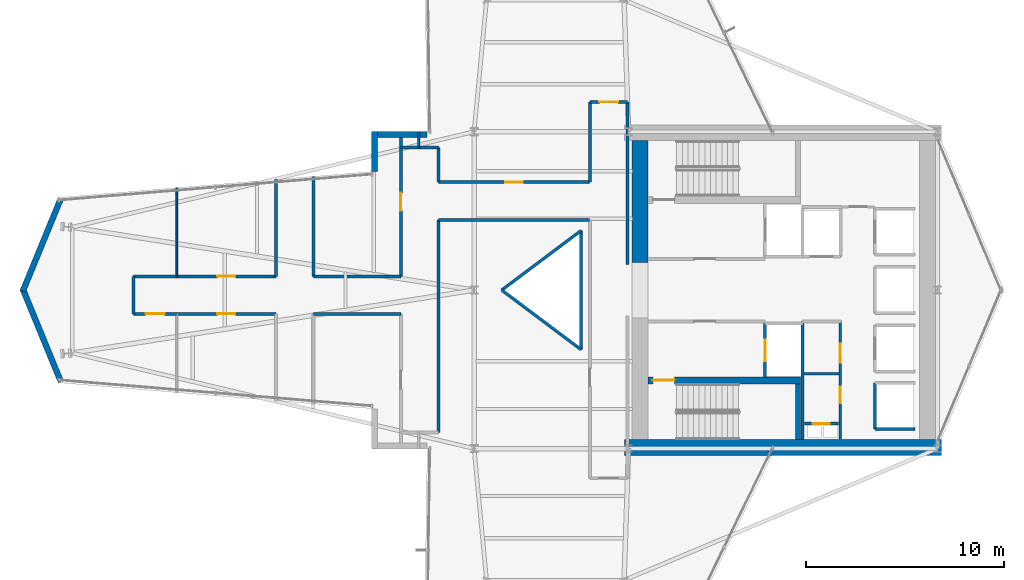
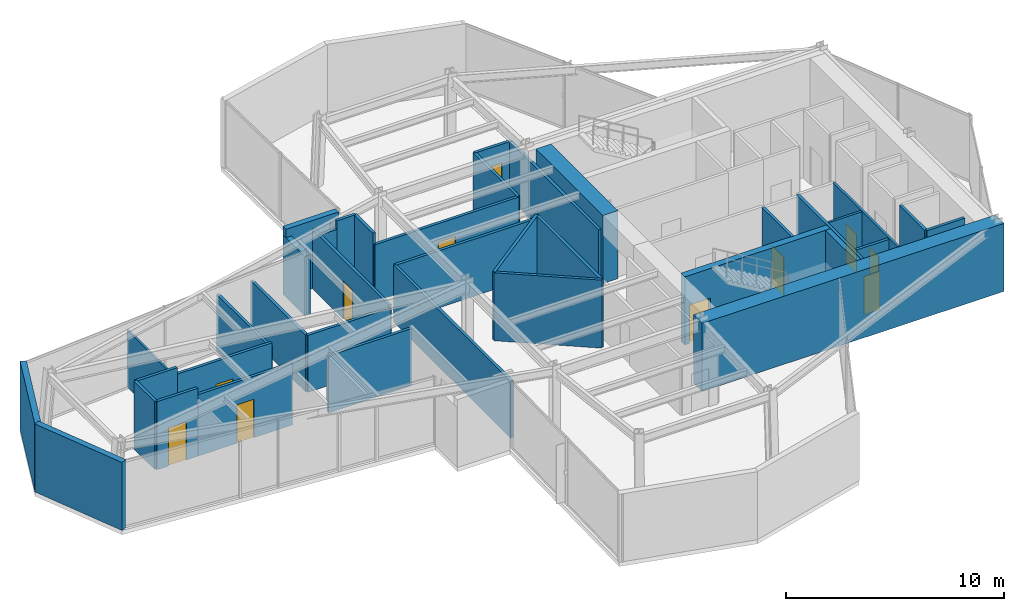
# One storey, part 22 of 24: 39 walls, 11 doors, 11 openings.
"""IFC4 building model written with IfcOpenShell, lengths in metres."""

from ifc_helpers import new_model, si_unit, direction, frame, frame_2d, origin, place, context, subcontext, project, spatial, rectangle, extrude, material, layer, layer_set, type_object, element, fill, save


model = new_model("IFC4")

# Units and contexts
model_context = context("Model", 3, precision=1e-05, world=origin(), true_north=direction((0.0, 1.0)))
body_context = subcontext(model_context, "Body", "Model", "MODEL_VIEW")
ifc_project = project(units=[si_unit("LENGTHUNIT", "METRE"), si_unit("AREAUNIT", "SQUARE_METRE"), si_unit("VOLUMEUNIT", "CUBIC_METRE"), si_unit("PLANEANGLEUNIT", "RADIAN"), si_unit("MASSUNIT", "GRAM", prefix="KILO")], contexts=[model_context])

# Site, building, storey
site_placement = place(None, origin())
site = spatial("IfcSite", under=ifc_project, at=site_placement, CompositionType="ELEMENT")
building_placement = place(site_placement, origin())
building = spatial("IfcBuilding", under=site, at=building_placement, Name="Veymaron Broadcast Tower", CompositionType="ELEMENT")
storey_placement = place(building_placement, frame((0.0, 0.0, 124.949951171875)))
storey = spatial("IfcBuildingStorey", under=building, at=storey_placement, Name="L28", CompositionType="ELEMENT", Elevation=124.949951171875)

# Walls
ifc_material_1 = material(Name="Precast concrete C40/50 with mineral-wool insulation", Category="concrete")
ifc_layer_1 = layer(ifc_material_1, 0.300048828125)
ifc_layer_set_1 = layer_set([ifc_layer_1], Name="Precast concrete C40/50 with mineral-wool insulation")
wall_type_1 = type_object("IfcWallType", Name="WALL-EXT-300", PredefinedType="STANDARD", material=ifc_layer_set_1)
wall_1_placement = place(storey_placement, frame((28.828369140625, 31.860107421875, 0.0), z_axis=(0.0, 0.0, 1.0), x_axis=(-1.0, 0.0, 0.0)))
element("IfcWall", 1, at=wall_1_placement, inside=storey, type_object=wall_type_1, Name="L28 notched corner facade pier 9-1", PredefinedType="STANDARD", context=body_context, shape_type="SweptSolid", body=[
    extrude(rectangle(XDim=2.788330078125, YDim=0.300048828125, at=frame_2d((1.39404296875, 0.0))), origin(), (0.0, 0.0, 1.0), 3.81005859375),
])
wall_2_placement = place(storey_placement, frame((26.179931640625, 32.0, 0.0), z_axis=(0.0, 0.0, 1.0), x_axis=(0.0, -1.0, 0.0)))
element("IfcWall", 2, at=wall_2_placement, inside=storey, type_object=wall_type_1, Name="L28 notched corner facade pier 10-1", PredefinedType="STANDARD", context=body_context, shape_type="SweptSolid", body=[
    extrude(rectangle(XDim=2.009521484375, YDim=0.300048828125, at=frame_2d((1.0048828125, 0.0))), origin(), (0.0, 0.0, 1.0), 3.338134765625),
])
for number, where, z_axis, x_axis, name in (
    (3, (10.32958984375, 28.62548828125, 0.0), (0.0, 0.0, 1.0), (-0.379673954521, -0.925120364201, 0.0), "L28 notched corner facade pier 12-1"),
    (4, (8.409423828125, 24.05322265625, 0.0), (0.0, 0.0, 1.0), (0.379673954521, -0.925120364201, 0.0), "L28 notched corner facade pier 13-1"),
):
    element("IfcWall", number, at=place(storey_placement, frame(where, z_axis=z_axis, x_axis=x_axis)), inside=storey, type_object=wall_type_1, Name=name, PredefinedType="STANDARD", context=body_context, shape_type="SweptSolid", body=[
        extrude(rectangle(XDim=5.057373046875, YDim=0.300048828125, at=frame_2d((2.52880859375, 0.0))), origin(), (0.0, 0.0, 1.0), 3.81005859375),
    ])

# Wall, opening, door
ifc_material_2 = material(Name="Gypsum fireboard and steel stud framing", Category="steel")
ifc_layer_2 = layer(ifc_material_2, 0.14990234375)
ifc_layer_set_2 = layer_set([ifc_layer_2], Name="Gypsum fireboard and steel stud framing")
wall_type_2 = type_object("IfcWallType", Name="WALL-FIRE-150", PredefinedType="PARTITIONING", material=ifc_layer_set_2)
wall_3_placement = place(storey_placement, frame((45.89501953125, 19.590087890625, 0.0), z_axis=(0.0, 0.0, 1.0), x_axis=(0.0, 1.0, 0.0)))
wall_3 = element("IfcWall", 5, at=wall_3_placement, inside=storey, type_object=wall_type_2, Name="L28 partition IW-L28-SHW-FFL-2", PredefinedType="PARTITIONING", context=body_context, shape_type="SweptSolid", body=[
    extrude(rectangle(XDim=2.719970703125, YDim=0.14990234375, at=frame_2d((1.35986328125, 0.0))), origin(), (0.0, 0.0, 1.0), 3.81005859375),
])
opening_1_placement = place(wall_3_placement, frame((0.81005859375, 0.0, 0.0)))
opening_1 = element("IfcOpeningElement", 6, at=opening_1_placement, cuts=wall_3, Name="Opening LD", PredefinedType="OPENING", context=body_context, shape_type="SweptSolid", body=[
    extrude(rectangle(XDim=1.10009765625, YDim=2.14990234375, at=frame_2d((0.550048828125, 1.074951171875))), frame((0.0, 0.0849609375, 0.0), z_axis=(0.0, -1.0, 0.0), x_axis=(1.0, 0.0, 0.0)), (0.0, 0.0, 1.0), 0.169921875),
])
ifc_material_3 = material(Name="Brushed stainless steel AISI 304", Category="steel")
door_type_1 = type_object("IfcDoorType", Name="DOOR-LIFT-1100", OperationType="DOUBLE_DOOR_SLIDING", PredefinedType="DOOR", material=ifc_material_3)
door_1_placement = place(opening_1_placement, frame((1.10009765625, 0.0, 0.0), z_axis=(0.0, 0.0, 1.0), x_axis=(-1.0, 0.0, 0.0)))
door_1 = element("IfcDoor", 7, at=door_1_placement, inside=storey, type_object=door_type_1, Name="L28 door LD-L28-FFL-2", OperationType="DOUBLE_DOOR_SLIDING", OverallHeight=2.14990234375, OverallWidth=1.10009765625, PredefinedType="DOOR", context=body_context, shape_type="SweptSolid", body=[
    extrude(rectangle(XDim=1.10009765625, YDim=2.14990234375, at=frame_2d((0.550048828125, 1.074951171875))), frame((0.0, 0.02490234375, 0.0), z_axis=(0.0, -1.0, 0.0), x_axis=(1.0, 0.0, 0.0)), (0.0, 0.0, 1.0), 0.050048828125),
])
fill(opening_1, door_1)

# Walls
wall_4_placement = place(storey_placement, frame((51.445068359375, 16.989990234375, 0.0), z_axis=(0.0, 0.0, 1.0), x_axis=(0.0, 1.0, 0.0)))
element("IfcWall", 8, at=wall_4_placement, inside=storey, type_object=wall_type_2, Name="L28 partition IW-L28-SHW-PH1", PredefinedType="PARTITIONING", context=body_context, shape_type="SweptSolid", body=[
    extrude(rectangle(XDim=2.320068359375, YDim=0.14990234375, at=frame_2d((1.16015625, 0.0))), origin(), (0.0, 0.0, 1.0), 3.81005859375),
])
wall_5_placement = place(storey_placement, frame((51.445068359375, 16.989990234375, 0.0), z_axis=(0.0, 0.0, 1.0), x_axis=(1.0, 0.0, 0.0)))
element("IfcWall", 9, at=wall_5_placement, inside=storey, type_object=wall_type_2, Name="L28 partition IW-L28-SHS-PH1", PredefinedType="PARTITIONING", context=body_context, shape_type="SweptSolid", body=[
    extrude(rectangle(XDim=2.014892578125, YDim=0.14990234375, at=frame_2d((1.00732421875, 0.0))), origin(), (0.0, 0.0, 1.0), 3.81005859375),
])

# Wall, opening, door
wall_6_placement = place(storey_placement, frame((47.8798828125, 17.260009765625, 0.0), z_axis=(0.0, 0.0, 1.0), x_axis=(1.0, 0.0, 0.0)))
wall_6 = element("IfcWall", 10, at=wall_6_placement, inside=storey, type_object=wall_type_2, Name="L28 partition IW-L28-RIS-N", PredefinedType="PARTITIONING", context=body_context, shape_type="SweptSolid", body=[
    extrude(rectangle(XDim=1.72021484375, YDim=0.14990234375, at=frame_2d((0.860107421875, 0.0))), origin(), (0.0, 0.0, 1.0), 3.81005859375),
])
opening_2_placement = place(wall_6_placement, frame((0.419921875, 0.0, 0.0)))
opening_2 = element("IfcOpeningElement", 11, at=opening_2_placement, cuts=wall_6, Name="Opening ID-RS1", PredefinedType="OPENING", context=body_context, shape_type="SweptSolid", body=[
    extrude(rectangle(XDim=0.85009765625, YDim=2.14990234375, at=frame_2d((0.425048828125, 1.074951171875))), frame((0.0, 0.0849609375, 0.0), z_axis=(0.0, -1.0, 0.0), x_axis=(1.0, 0.0, 0.0)), (0.0, 0.0, 1.0), 0.169921875),
])
ifc_material_4 = material(Name="Fire-rated powder-coated steel riser leaf", Category="steel")
door_type_2 = type_object("IfcDoorType", Name="DOOR-RIS-850", OperationType="NOTDEFINED", PredefinedType="TRAPDOOR", material=ifc_material_4)
door_2_placement = place(opening_2_placement, origin())
door_2 = element("IfcDoor", 12, at=door_2_placement, inside=storey, type_object=door_type_2, Name="L28 door DR-L28-RIS", OperationType="SINGLE_SWING_LEFT", OverallHeight=2.14990234375, OverallWidth=0.85009765625, PredefinedType="TRAPDOOR", context=body_context, shape_type="SweptSolid", body=[
    extrude(rectangle(XDim=0.85009765625, YDim=2.14990234375, at=frame_2d((0.425048828125, 1.074951171875))), frame((0.0, 0.02490234375, 0.0), z_axis=(0.0, -1.0, 0.0), x_axis=(1.0, 0.0, 0.0)), (0.0, 0.0, 1.0), 0.050048828125),
])
fill(opening_2, door_2)

# Wall
wall_7_placement = place(storey_placement, frame((47.780029296875, 16.449951171875, 0.0), z_axis=(0.0, 0.0, 1.0), x_axis=(0.0, 1.0, 0.0)))
element("IfcWall", 13, at=wall_7_placement, inside=storey, type_object=wall_type_2, Name="L28 partition IW-L28-SM-W", PredefinedType="PARTITIONING", context=body_context, shape_type="SweptSolid", body=[
    extrude(rectangle(XDim=5.97509765625, YDim=0.14990234375, at=frame_2d((2.987548828125, 0.0))), origin(), (0.0, 0.0, 1.0), 3.81005859375),
])

# Wall, opening, door
wall_8_placement = place(storey_placement, frame((16.18603515625, 22.800048828125, 0.0), z_axis=(0.0, 0.0, 1.0), x_axis=(1.0, 0.0, 0.0)))
wall_8 = element("IfcWall", 14, at=wall_8_placement, inside=storey, type_object=wall_type_2, Name="L28 partition IW-L28-P12", PredefinedType="PARTITIONING", context=body_context, shape_type="SweptSolid", body=[
    extrude(rectangle(XDim=5.013916015625, YDim=0.14990234375, at=frame_2d((2.5068359375, 0.0))), origin(), (0.0, 0.0, 1.0), 3.443115234375),
])
opening_3_placement = place(wall_8_placement, frame((2.056884765625, 0.0, 0.0)))
opening_3 = element("IfcOpeningElement", 15, at=opening_3_placement, cuts=wall_8, Name="Opening ID-RM2", PredefinedType="OPENING", context=body_context, shape_type="SweptSolid", body=[
    extrude(rectangle(XDim=0.89990234375, YDim=2.14990234375, at=frame_2d((0.449951171875, 1.074951171875))), frame((0.0, 0.0849609375, 0.0), z_axis=(0.0, -1.0, 0.0), x_axis=(1.0, 0.0, 0.0)), (0.0, 0.0, 1.0), 0.169921875),
])
ifc_material_5 = material(Name="Acoustic solid-core European oak veneer timber", Category="wood")
door_type_3 = type_object("IfcDoorType", Name="DOOR-INT-900", OperationType="NOTDEFINED", PredefinedType="DOOR", material=ifc_material_5)
door_3_placement = place(opening_3_placement, frame((0.89990234375, 0.0, 0.0), z_axis=(0.0, 0.0, 1.0), x_axis=(-1.0, 0.0, 0.0)))
door_3 = element("IfcDoor", 16, at=door_3_placement, inside=storey, type_object=door_type_3, Name="L28 door DR-L28-P12", OperationType="SINGLE_SWING_LEFT", OverallHeight=2.14990234375, OverallWidth=0.89990234375, PredefinedType="DOOR", context=body_context, shape_type="SweptSolid", body=[
    extrude(rectangle(XDim=0.89990234375, YDim=2.14990234375, at=frame_2d((0.449951171875, 1.074951171875))), frame((0.0, 0.02490234375, 0.0), z_axis=(0.0, -1.0, 0.0), x_axis=(1.0, 0.0, 0.0)), (0.0, 0.0, 1.0), 0.050048828125),
])
fill(opening_3, door_3)

wall_9_placement = place(storey_placement, frame((14.0, 22.800048828125, 0.0), z_axis=(0.0, 0.0, 1.0), x_axis=(1.0, 0.0, 0.0)))
wall_9 = element("IfcWall", 17, at=wall_9_placement, inside=storey, type_object=wall_type_2, Name="L28 partition IW-L28-P14", PredefinedType="PARTITIONING", context=body_context, shape_type="SweptSolid", body=[
    extrude(rectangle(XDim=2.18603515625, YDim=0.14990234375, at=frame_2d((1.093017578125, 0.0))), origin(), (0.0, 0.0, 1.0), 3.81005859375),
])
opening_4_placement = place(wall_9_placement, frame((0.617919921875, 0.0, 0.0)))
opening_4 = element("IfcOpeningElement", 18, at=opening_4_placement, cuts=wall_9, Name="Opening ID-RM1", PredefinedType="OPENING", context=body_context, shape_type="SweptSolid", body=[
    extrude(rectangle(XDim=0.949951171875, YDim=2.14990234375, at=frame_2d((0.47509765625, 1.074951171875))), frame((0.0, 0.0849609375, 0.0), z_axis=(0.0, -1.0, 0.0), x_axis=(1.0, 0.0, 0.0)), (0.0, 0.0, 1.0), 0.169921875),
])
door_type_4 = type_object("IfcDoorType", Name="DOOR-INT-950", OperationType="NOTDEFINED", PredefinedType="DOOR", material=ifc_material_5)
door_4_placement = place(opening_4_placement, frame((0.949951171875, 0.0, 0.0), z_axis=(0.0, 0.0, 1.0), x_axis=(-1.0, 0.0, 0.0)))
door_4 = element("IfcDoor", 19, at=door_4_placement, inside=storey, type_object=door_type_4, Name="L28 door DR-L28-P14", OperationType="SINGLE_SWING_LEFT", OverallHeight=2.14990234375, OverallWidth=0.949951171875, PredefinedType="DOOR", context=body_context, shape_type="SweptSolid", body=[
    extrude(rectangle(XDim=0.949951171875, YDim=2.14990234375, at=frame_2d((0.47509765625, 1.074951171875))), frame((0.0, 0.02490234375, 0.0), z_axis=(0.0, -1.0, 0.0), x_axis=(1.0, 0.0, 0.0)), (0.0, 0.0, 1.0), 0.050048828125),
])
fill(opening_4, door_4)

wall_10_placement = place(storey_placement, frame((16.18603515625, 24.699951171875, 0.0), z_axis=(0.0, 0.0, 1.0), x_axis=(1.0, 0.0, 0.0)))
wall_10 = element("IfcWall", 20, at=wall_10_placement, inside=storey, type_object=wall_type_2, Name="L28 partition IW-L28-P17", PredefinedType="PARTITIONING", context=body_context, shape_type="SweptSolid", body=[
    extrude(rectangle(XDim=5.013916015625, YDim=0.14990234375, at=frame_2d((2.5068359375, 0.0))), origin(), (0.0, 0.0, 1.0), 3.443115234375),
])
opening_5_placement = place(wall_10_placement, frame((2.056884765625, 0.0, 0.0)))
opening_5 = element("IfcOpeningElement", 21, at=opening_5_placement, cuts=wall_10, Name="Opening ID-RM2", PredefinedType="OPENING", context=body_context, shape_type="SweptSolid", body=[
    extrude(rectangle(XDim=0.89990234375, YDim=2.14990234375, at=frame_2d((0.449951171875, 1.074951171875))), frame((0.0, 0.0849609375, 0.0), z_axis=(0.0, -1.0, 0.0), x_axis=(1.0, 0.0, 0.0)), (0.0, 0.0, 1.0), 0.169921875),
])
door_5_placement = place(opening_5_placement, origin())
door_5 = element("IfcDoor", 22, at=door_5_placement, inside=storey, type_object=door_type_3, Name="L28 door DR-L28-P17", OperationType="SINGLE_SWING_RIGHT", OverallHeight=2.14990234375, OverallWidth=0.89990234375, PredefinedType="DOOR", context=body_context, shape_type="SweptSolid", body=[
    extrude(rectangle(XDim=0.89990234375, YDim=2.14990234375, at=frame_2d((0.449951171875, 1.074951171875))), frame((0.0, 0.02490234375, 0.0), z_axis=(0.0, -1.0, 0.0), x_axis=(1.0, 0.0, 0.0)), (0.0, 0.0, 1.0), 0.050048828125),
])
fill(opening_5, door_5)

wall_11_placement = place(storey_placement, frame((27.5, 24.699951171875, 0.0), z_axis=(0.0, 0.0, 1.0), x_axis=(0.0, 1.0, 0.0)))
wall_11 = element("IfcWall", 23, at=wall_11_placement, inside=storey, type_object=wall_type_2, Name="L28 partition IW-L28-P19", PredefinedType="PARTITIONING", context=body_context, shape_type="SweptSolid", body=[
    extrude(rectangle(XDim=7.16015625, YDim=0.14990234375, at=frame_2d((3.580078125, 0.0))), origin(), (0.0, 0.0, 1.0), 3.338134765625),
])
opening_6_placement = place(wall_11_placement, frame((3.31005859375, 0.0, 0.0)))
opening_6 = element("IfcOpeningElement", 24, at=opening_6_placement, cuts=wall_11, Name="Opening ID-RM2", PredefinedType="OPENING", context=body_context, shape_type="SweptSolid", body=[
    extrude(rectangle(XDim=0.89990234375, YDim=2.14990234375, at=frame_2d((0.449951171875, 1.074951171875))), frame((0.0, 0.0849609375, 0.0), z_axis=(0.0, -1.0, 0.0), x_axis=(1.0, 0.0, 0.0)), (0.0, 0.0, 1.0), 0.169921875),
])
door_6_placement = place(opening_6_placement, origin())
door_6 = element("IfcDoor", 25, at=door_6_placement, inside=storey, type_object=door_type_3, Name="L28 door DR-L28-P19", OperationType="SINGLE_SWING_RIGHT", OverallHeight=2.14990234375, OverallWidth=0.89990234375, PredefinedType="DOOR", context=body_context, shape_type="SweptSolid", body=[
    extrude(rectangle(XDim=0.89990234375, YDim=2.14990234375, at=frame_2d((0.449951171875, 1.074951171875))), frame((0.0, 0.02490234375, 0.0), z_axis=(0.0, -1.0, 0.0), x_axis=(1.0, 0.0, 0.0)), (0.0, 0.0, 1.0), 0.050048828125),
])
fill(opening_6, door_6)

wall_12_placement = place(storey_placement, frame((29.39990234375, 29.449951171875, 0.0), z_axis=(0.0, 0.0, 1.0), x_axis=(1.0, 0.0, 0.0)))
wall_12 = element("IfcWall", 26, at=wall_12_placement, inside=storey, type_object=wall_type_2, Name="L28 partition IW-L28-P23", PredefinedType="PARTITIONING", context=body_context, shape_type="SweptSolid", body=[
    extrude(rectangle(XDim=7.628173828125, YDim=0.14990234375, at=frame_2d((3.81396484375, 0.0))), origin(), (0.0, 0.0, 1.0), 3.18994140625),
])
opening_7_placement = place(wall_12_placement, frame((3.364013671875, 0.0, 0.0)))
opening_7 = element("IfcOpeningElement", 27, at=opening_7_placement, cuts=wall_12, Name="Opening ID-RM2", PredefinedType="OPENING", context=body_context, shape_type="SweptSolid", body=[
    extrude(rectangle(XDim=0.89990234375, YDim=2.14990234375, at=frame_2d((0.449951171875, 1.074951171875))), frame((0.0, 0.0849609375, 0.0), z_axis=(0.0, -1.0, 0.0), x_axis=(1.0, 0.0, 0.0)), (0.0, 0.0, 1.0), 0.169921875),
])
door_7_placement = place(opening_7_placement, origin())
door_7 = element("IfcDoor", 28, at=door_7_placement, inside=storey, type_object=door_type_3, Name="L28 door DR-L28-P23", OperationType="SINGLE_SWING_RIGHT", OverallHeight=2.14990234375, OverallWidth=0.89990234375, PredefinedType="DOOR", context=body_context, shape_type="SweptSolid", body=[
    extrude(rectangle(XDim=0.89990234375, YDim=2.14990234375, at=frame_2d((0.449951171875, 1.074951171875))), frame((0.0, 0.02490234375, 0.0), z_axis=(0.0, -1.0, 0.0), x_axis=(1.0, 0.0, 0.0)), (0.0, 0.0, 1.0), 0.050048828125),
])
fill(opening_7, door_7)

wall_13_placement = place(storey_placement, frame((37.050048828125, 33.5, 0.0), z_axis=(0.0, 0.0, 1.0), x_axis=(1.0, 0.0, 0.0)))
wall_13 = element("IfcWall", 29, at=wall_13_placement, inside=storey, type_object=wall_type_2, Name="L28 partition IW-L28-P29", PredefinedType="PARTITIONING", context=body_context, shape_type="SweptSolid", body=[
    extrude(rectangle(XDim=1.89990234375, YDim=0.14990234375, at=frame_2d((0.949951171875, 0.0))), origin(), (0.0, 0.0, 1.0), 3.18994140625),
])
opening_8_placement = place(wall_13_placement, frame((0.47509765625, 0.0, 0.0)))
opening_8 = element("IfcOpeningElement", 30, at=opening_8_placement, cuts=wall_13, Name="Opening ID-RM1", PredefinedType="OPENING", context=body_context, shape_type="SweptSolid", body=[
    extrude(rectangle(XDim=0.949951171875, YDim=2.14990234375, at=frame_2d((0.47509765625, 1.074951171875))), frame((0.0, 0.0849609375, 0.0), z_axis=(0.0, -1.0, 0.0), x_axis=(1.0, 0.0, 0.0)), (0.0, 0.0, 1.0), 0.169921875),
])
door_8_placement = place(opening_8_placement, origin())
door_8 = element("IfcDoor", 31, at=door_8_placement, inside=storey, type_object=door_type_4, Name="L28 door DR-L28-P29", OperationType="SINGLE_SWING_RIGHT", OverallHeight=2.14990234375, OverallWidth=0.949951171875, PredefinedType="DOOR", context=body_context, shape_type="SweptSolid", body=[
    extrude(rectangle(XDim=0.949951171875, YDim=2.14990234375, at=frame_2d((0.47509765625, 1.074951171875))), frame((0.0, 0.02490234375, 0.0), z_axis=(0.0, -1.0, 0.0), x_axis=(1.0, 0.0, 0.0)), (0.0, 0.0, 1.0), 0.050048828125),
])
fill(opening_8, door_8)

# Walls
wall_14_placement = place(storey_placement, frame((29.39990234375, 16.800048828125, 0.0), z_axis=(0.0, 0.0, 1.0), x_axis=(0.0, 1.0, 0.0)))
element("IfcWall", 32, at=wall_14_placement, inside=storey, type_object=wall_type_2, Name="L28 partition IW-L28-P05", PredefinedType="PARTITIONING", context=body_context, shape_type="SweptSolid", body=[
    extrude(rectangle(XDim=10.75, YDim=0.14990234375, at=frame_2d((5.375, 0.0))), origin(), (0.0, 0.0, 1.0), 3.18994140625),
])
wall_15_placement = place(storey_placement, frame((29.39990234375, 27.550048828125, 0.0), z_axis=(0.0, 0.0, 1.0), x_axis=(1.0, 0.0, 0.0)))
element("IfcWall", 33, at=wall_15_placement, inside=storey, type_object=wall_type_2, Name="L28 partition IW-L28-P06", PredefinedType="PARTITIONING", context=body_context, shape_type="SweptSolid", body=[
    extrude(rectangle(XDim=7.628173828125, YDim=0.14990234375, at=frame_2d((3.81396484375, 0.0))), origin(), (0.0, 0.0, 1.0), 3.18994140625),
])
wall_16_placement = place(storey_placement, frame((23.10009765625, 22.800048828125, 0.0), z_axis=(0.0, 0.0, 1.0), x_axis=(1.0, 0.0, 0.0)))
element("IfcWall", 34, at=wall_16_placement, inside=storey, type_object=wall_type_2, Name="L28 partition IW-L28-P10", PredefinedType="PARTITIONING", context=body_context, shape_type="SweptSolid", body=[
    extrude(rectangle(XDim=4.39990234375, YDim=0.14990234375, at=frame_2d((2.199951171875, 0.0))), origin(), (0.0, 0.0, 1.0), 3.18994140625),
])
wall_17_placement = place(storey_placement, frame((14.0, 24.699951171875, 0.0), z_axis=(0.0, 0.0, 1.0), x_axis=(1.0, 0.0, 0.0)))
element("IfcWall", 35, at=wall_17_placement, inside=storey, type_object=wall_type_2, Name="L28 partition IW-L28-P15", PredefinedType="PARTITIONING", context=body_context, shape_type="SweptSolid", body=[
    extrude(rectangle(XDim=2.18603515625, YDim=0.14990234375, at=frame_2d((1.093017578125, 0.0))), origin(), (0.0, 0.0, 1.0), 3.81005859375),
])
wall_18_placement = place(storey_placement, frame((14.0, 22.800048828125, 0.0), z_axis=(0.0, 0.0, 1.0), x_axis=(0.0, 1.0, 0.0)))
element("IfcWall", 36, at=wall_18_placement, inside=storey, type_object=wall_type_2, Name="L28 partition IW-L28-P16", PredefinedType="PARTITIONING", context=body_context, shape_type="SweptSolid", body=[
    extrude(rectangle(XDim=1.89990234375, YDim=0.14990234375, at=frame_2d((0.949951171875, 0.0))), origin(), (0.0, 0.0, 1.0), 3.81005859375),
])
wall_19_placement = place(storey_placement, frame((21.199951171875, 24.699951171875, 0.0), z_axis=(0.0, 0.0, 1.0), x_axis=(0.0, 1.0, 0.0)))
element("IfcWall", 37, at=wall_19_placement, inside=storey, type_object=wall_type_2, Name="L28 partition IW-L28-P18", PredefinedType="PARTITIONING", context=body_context, shape_type="SweptSolid", body=[
    extrude(rectangle(XDim=4.8896484375, YDim=0.14990234375, at=frame_2d((2.44482421875, 0.0))), origin(), (0.0, 0.0, 1.0), 3.18994140625),
])
wall_20_placement = place(storey_placement, frame((23.10009765625, 24.699951171875, 0.0), z_axis=(0.0, 0.0, 1.0), x_axis=(0.0, 1.0, 0.0)))
element("IfcWall", 38, at=wall_20_placement, inside=storey, type_object=wall_type_2, Name="L28 partition IW-L28-P20", PredefinedType="PARTITIONING", context=body_context, shape_type="SweptSolid", body=[
    extrude(rectangle(XDim=5.046875, YDim=0.14990234375, at=frame_2d((2.5234375, 0.0))), origin(), (0.0, 0.0, 1.0), 3.18994140625),
])
wall_21_placement = place(storey_placement, frame((23.10009765625, 24.699951171875, 0.0), z_axis=(0.0, 0.0, 1.0), x_axis=(1.0, 0.0, 0.0)))
element("IfcWall", 39, at=wall_21_placement, inside=storey, type_object=wall_type_2, Name="L28 partition IW-L28-P21", PredefinedType="PARTITIONING", context=body_context, shape_type="SweptSolid", body=[
    extrude(rectangle(XDim=4.39990234375, YDim=0.14990234375, at=frame_2d((2.199951171875, 0.0))), origin(), (0.0, 0.0, 1.0), 3.18994140625),
])
wall_22_placement = place(storey_placement, frame((27.5, 31.199951171875, 0.0), z_axis=(0.0, 0.0, 1.0), x_axis=(1.0, 0.0, 0.0)))
element("IfcWall", 40, at=wall_22_placement, inside=storey, type_object=wall_type_2, Name="L28 partition IW-L28-P22", PredefinedType="PARTITIONING", context=body_context, shape_type="SweptSolid", body=[
    extrude(rectangle(XDim=0.904052734375, YDim=0.14990234375, at=frame_2d((0.4521484375, 0.0))), origin(), (0.0, 0.0, 1.0), 3.338134765625),
])
wall_23_placement = place(storey_placement, frame((37.050048828125, 29.449951171875, 0.0), z_axis=(0.0, 0.0, 1.0), x_axis=(0.0, 1.0, 0.0)))
element("IfcWall", 41, at=wall_23_placement, inside=storey, type_object=wall_type_2, Name="L28 partition IW-L28-P24", PredefinedType="PARTITIONING", context=body_context, shape_type="SweptSolid", body=[
    extrude(rectangle(XDim=4.050048828125, YDim=0.14990234375, at=frame_2d((2.02490234375, 0.0))), origin(), (0.0, 0.0, 1.0), 3.18994140625),
])
wall_24_placement = place(storey_placement, frame((29.39990234375, 29.449951171875, 0.0), z_axis=(0.0, 0.0, 1.0), x_axis=(0.0, 1.0, 0.0)))
element("IfcWall", 42, at=wall_24_placement, inside=storey, type_object=wall_type_2, Name="L28 partition IW-L28-P25", PredefinedType="PARTITIONING", context=body_context, shape_type="SweptSolid", body=[
    extrude(rectangle(XDim=1.75, YDim=0.14990234375, at=frame_2d((0.875, 0.0))), origin(), (0.0, 0.0, 1.0), 3.81005859375),
])
wall_25_placement = place(storey_placement, frame((28.404052734375, 31.199951171875, 0.0), z_axis=(0.0, 0.0, 1.0), x_axis=(1.0, 0.0, 0.0)))
element("IfcWall", 43, at=wall_25_placement, inside=storey, type_object=wall_type_2, Name="L28 partition IW-L28-P26", PredefinedType="PARTITIONING", context=body_context, shape_type="SweptSolid", body=[
    extrude(rectangle(XDim=0.995849609375, YDim=0.14990234375, at=frame_2d((0.498046875, 0.0))), origin(), (0.0, 0.0, 1.0), 3.81005859375),
])
wall_26_placement = place(storey_placement, frame((38.949951171875, 25.300048828125, 0.0), z_axis=(0.0, 0.0, 1.0), x_axis=(0.0, 1.0, 0.0)))
element("IfcWall", 44, at=wall_26_placement, inside=storey, type_object=wall_type_2, Name="L28 partition IW-L28-P27", PredefinedType="PARTITIONING", context=body_context, shape_type="SweptSolid", body=[
    extrude(rectangle(XDim=8.199951171875, YDim=0.14990234375, at=frame_2d((4.10009765625, 0.0))), origin(), (0.0, 0.0, 1.0), 3.18994140625),
])
ifc_material_6 = material(Name="Fire-rated laminated glass in aluminium frame", Category="aluminium")
ifc_layer_3 = layer(ifc_material_6, 0.14990234375)
ifc_layer_set_3 = layer_set([ifc_layer_3], Name="Fire-rated laminated glass in aluminium frame")
wall_type_3 = type_object("IfcWallType", Name="WALL-GLZ-150", PredefinedType="MOVABLE", material=ifc_layer_set_3)
wall_27_placement = place(storey_placement, frame((32.60009765625, 24.0, 0.0), z_axis=(0.0, 0.0, 1.0), x_axis=(0.8, -0.6, 0.0)))
element("IfcWall", 45, at=wall_27_placement, inside=storey, type_object=wall_type_3, Name="L28 partition IW-L28-ATR1", PredefinedType="MOVABLE", context=body_context, shape_type="SweptSolid", body=[
    extrude(rectangle(XDim=5.0, YDim=0.14990234375, at=frame_2d((2.5, 0.0))), origin(), (0.0, 0.0, 1.0), 3.81005859375),
])
wall_28_placement = place(storey_placement, frame((36.60009765625, 21.0, 0.0), z_axis=(0.0, 0.0, 1.0), x_axis=(0.0, 1.0, 0.0)))
element("IfcWall", 46, at=wall_28_placement, inside=storey, type_object=wall_type_3, Name="L28 partition IW-L28-ATR2", PredefinedType="MOVABLE", context=body_context, shape_type="SweptSolid", body=[
    extrude(rectangle(XDim=6.0, YDim=0.14990234375, at=frame_2d((3.0, 0.0))), origin(), (0.0, 0.0, 1.0), 3.81005859375),
])
wall_29_placement = place(storey_placement, frame((36.60009765625, 27.0, 0.0), z_axis=(0.0, 0.0, 1.0), x_axis=(-0.8, -0.6, 0.0)))
element("IfcWall", 47, at=wall_29_placement, inside=storey, type_object=wall_type_3, Name="L28 partition IW-L28-ATR3", PredefinedType="MOVABLE", context=body_context, shape_type="SweptSolid", body=[
    extrude(rectangle(XDim=5.0, YDim=0.14990234375, at=frame_2d((2.5, 0.0))), origin(), (0.0, 0.0, 1.0), 3.81005859375),
])
ifc_material_7 = material(Name="Acoustic gypsum board and galvanized stud", Category="gypsum")
ifc_layer_4 = layer(ifc_material_7, 0.10009765625)
ifc_layer_set_4 = layer_set([ifc_layer_4], Name="Acoustic gypsum board and galvanized stud")
wall_type_4 = type_object("IfcWallType", Name="WALL-PART-100", PredefinedType="PARTITIONING", material=ifc_layer_set_4)
wall_30_placement = place(storey_placement, frame((16.18603515625, 24.699951171875, 0.0), z_axis=(0.0, 0.0, 1.0), x_axis=(0.0, 1.0, 0.0)))
element("IfcWall", 48, at=wall_30_placement, inside=storey, type_object=wall_type_4, Name="L28 partition IW-L28-P33", PredefinedType="PARTITIONING", context=body_context, shape_type="SweptSolid", body=[
    extrude(rectangle(XDim=4.474365234375, YDim=0.10009765625, at=frame_2d((2.2373046875, 0.0))), origin(), (0.0, 0.0, 1.0), 3.18994140625),
])
wall_31_placement = place(storey_placement, frame((28.404052734375, 31.199951171875, 0.0), z_axis=(0.0, 0.0, 1.0), x_axis=(0.0, 1.0, 0.0)))
element("IfcWall", 49, at=wall_31_placement, inside=storey, type_object=wall_type_4, Name="L28 partition IW-L28-P34", PredefinedType="PARTITIONING", context=body_context, shape_type="SweptSolid", body=[
    extrude(rectangle(XDim=0.800048828125, YDim=0.10009765625, at=frame_2d((0.39990234375, 0.0))), origin(), (0.0, 0.0, 1.0), 3.338134765625),
])
ifc_layer_5 = layer(ifc_material_7, 0.1201171875)
ifc_layer_set_5 = layer_set([ifc_layer_5], Name="Acoustic gypsum board and galvanized stud")
wall_type_5 = type_object("IfcWallType", Name="WALL-PART-120", PredefinedType="PARTITIONING", material=ifc_layer_set_5)
wall_32_placement = place(storey_placement, frame((47.860107421875, 19.780029296875, 0.0), z_axis=(0.0, 0.0, 1.0), x_axis=(1.0, 0.0, 0.0)))
element("IfcWall", 50, at=wall_32_placement, inside=storey, type_object=wall_type_5, Name="L28 partition IW-L28-SM-DIV", PredefinedType="PARTITIONING", context=body_context, shape_type="SweptSolid", body=[
    extrude(rectangle(XDim=1.760009765625, YDim=0.1201171875, at=frame_2d((0.8798828125, 0.0))), origin(), (0.0, 0.0, 1.0), 3.81005859375),
])

# Wall, openings, doors
wall_33_placement = place(storey_placement, frame((49.699951171875, 16.47998046875, 0.0), z_axis=(0.0, 0.0, 1.0), x_axis=(0.0, 1.0, 0.0)))
wall_33 = element("IfcWall", 51, at=wall_33_placement, inside=storey, type_object=wall_type_5, Name="L28 partition IW-L28-SM-E", PredefinedType="PARTITIONING", context=body_context, shape_type="SweptSolid", body=[
    extrude(rectangle(XDim=5.945068359375, YDim=0.1201171875, at=frame_2d((2.97265625, 0.0))), origin(), (0.0, 0.0, 1.0), 3.81005859375),
])
opening_9_placement = place(wall_33_placement, frame((1.800048828125, 0.0, 0.0)))
opening_9 = element("IfcOpeningElement", 52, at=opening_9_placement, cuts=wall_33, Name="Opening ID-WC1", PredefinedType="OPENING", context=body_context, shape_type="SweptSolid", body=[
    extrude(rectangle(XDim=0.85009765625, YDim=2.14990234375, at=frame_2d((0.425048828125, 1.074951171875))), frame((0.0, 0.070068359375, 0.0), z_axis=(0.0, -1.0, 0.0), x_axis=(1.0, 0.0, 0.0)), (0.0, 0.0, 1.0), 0.14013671875),
])
opening_10_placement = place(wall_33_placement, frame((3.85009765625, 0.0, 0.0)))
opening_10 = element("IfcOpeningElement", 53, at=opening_10_placement, cuts=wall_33, Name="Opening ID-RM1", PredefinedType="OPENING", context=body_context, shape_type="SweptSolid", body=[
    extrude(rectangle(XDim=0.949951171875, YDim=2.14990234375, at=frame_2d((0.47509765625, 1.074951171875))), frame((0.0, 0.070068359375, 0.0), z_axis=(0.0, -1.0, 0.0), x_axis=(1.0, 0.0, 0.0)), (0.0, 0.0, 1.0), 0.14013671875),
])
ifc_material_8 = material(Name="Moisture-resistant high-pressure laminate timber", Category="wood")
door_type_5 = type_object("IfcDoorType", Name="DOOR-INT-850", OperationType="NOTDEFINED", PredefinedType="DOOR", material=ifc_material_8)
door_9_placement = place(opening_9_placement, frame((0.85009765625, 0.0, 0.0), z_axis=(0.0, 0.0, 1.0), x_axis=(-1.0, 0.0, 0.0)))
door_9 = element("IfcDoor", 54, at=door_9_placement, inside=storey, type_object=door_type_5, Name="L28 door DR-L28-SWC", OperationType="SINGLE_SWING_LEFT", OverallHeight=2.14990234375, OverallWidth=0.85009765625, PredefinedType="DOOR", context=body_context, shape_type="SweptSolid", body=[
    extrude(rectangle(XDim=0.85009765625, YDim=2.14990234375, at=frame_2d((0.425048828125, 1.074951171875))), frame((0.0, 0.02490234375, 0.0), z_axis=(0.0, -1.0, 0.0), x_axis=(1.0, 0.0, 0.0)), (0.0, 0.0, 1.0), 0.050048828125),
])
fill(opening_9, door_9)
door_10_placement = place(opening_10_placement, frame((0.949951171875, 0.0, 0.0), z_axis=(0.0, 0.0, 1.0), x_axis=(-1.0, 0.0, 0.0)))
door_10 = element("IfcDoor", 55, at=door_10_placement, inside=storey, type_object=door_type_4, Name="L28 door DR-L28-AWC", OperationType="SINGLE_SWING_RIGHT", OverallHeight=2.14990234375, OverallWidth=0.949951171875, PredefinedType="DOOR", context=body_context, shape_type="SweptSolid", body=[
    extrude(rectangle(XDim=0.949951171875, YDim=2.14990234375, at=frame_2d((0.47509765625, 1.074951171875))), frame((0.0, 0.02490234375, 0.0), z_axis=(0.0, -1.0, 0.0), x_axis=(1.0, 0.0, 0.0)), (0.0, 0.0, 1.0), 0.050048828125),
])
fill(opening_10, door_10)

# Wall
ifc_material_9 = material(Name="Concrete C50/60", Category="concrete")
ifc_layer_6 = layer(ifc_material_9, 0.25)
ifc_layer_set_6 = layer_set([ifc_layer_6], Name="Concrete C50/60")
wall_type_6 = type_object("IfcWallType", Name="WALL-SHEAR-250", PredefinedType="SHEAR", material=ifc_layer_set_6)
wall_34_placement = place(storey_placement, frame((47.56494140625, 16.449951171875, 0.0), z_axis=(0.0, 0.0, 1.0), x_axis=(0.0, 1.0, 0.0)))
element("IfcWall", 56, at=wall_34_placement, inside=storey, type_object=wall_type_6, Name="L28 Core Wall south stair east shear", PredefinedType="SHEAR", context=body_context, shape_type="SweptSolid", body=[
    extrude(rectangle(XDim=2.820068359375, YDim=0.25, at=frame_2d((1.41015625, 0.0))), origin(), (0.0, 0.0, 1.0), 3.81005859375),
])

# Wall, opening, door
ifc_layer_7 = layer(ifc_material_9, 0.35009765625)
ifc_layer_set_7 = layer_set([ifc_layer_7], Name="Concrete C50/60")
wall_type_7 = type_object("IfcWallType", Name="WALL-SHEAR-350", PredefinedType="SHEAR", material=ifc_layer_set_7)
wall_35_placement = place(storey_placement, frame((39.97998046875, 19.445068359375, 0.0), z_axis=(0.0, 0.0, 1.0), x_axis=(1.0, 0.0, 0.0)))
wall_35 = element("IfcWall", 57, at=wall_35_placement, inside=storey, type_object=wall_type_7, Name="L28 Core Wall south stair spine", PredefinedType="SHEAR", context=body_context, shape_type="SweptSolid", body=[
    extrude(rectangle(XDim=7.7099609375, YDim=0.35009765625, at=frame_2d((3.85498046875, 0.0))), origin(), (0.0, 0.0, 1.0), 3.81005859375),
])
opening_11_placement = place(wall_35_placement, frame((0.25, 0.0, 0.0)))
opening_11 = element("IfcOpeningElement", 58, at=opening_11_placement, cuts=wall_35, Name="Opening ID-ST1", PredefinedType="OPENING", context=body_context, shape_type="SweptSolid", body=[
    extrude(rectangle(XDim=1.10009765625, YDim=2.14990234375, at=frame_2d((0.550048828125, 1.074951171875))), frame((0.0, 0.18505859375, 0.0), z_axis=(0.0, -1.0, 0.0), x_axis=(1.0, 0.0, 0.0)), (0.0, 0.0, 1.0), 0.3701171875),
])
ifc_material_10 = material(Name="Fire-rated painted hollow steel ASTM A653", Category="steel")
door_type_6 = type_object("IfcDoorType", Name="DOOR-STAIR-1100", OperationType="NOTDEFINED", PredefinedType="DOOR", material=ifc_material_10)
door_11_placement = place(opening_11_placement, frame((1.10009765625, 0.0, 0.0), z_axis=(0.0, 0.0, 1.0), x_axis=(-1.0, 0.0, 0.0)))
door_11 = element("IfcDoor", 59, at=door_11_placement, inside=storey, type_object=door_type_6, Name="L28 exit stair ST2 fire door", OperationType="SINGLE_SWING_RIGHT", OverallHeight=2.14990234375, OverallWidth=1.10009765625, PredefinedType="DOOR", context=body_context, shape_type="SweptSolid", body=[
    extrude(rectangle(XDim=1.10009765625, YDim=2.14990234375, at=frame_2d((0.550048828125, 1.074951171875))), frame((0.0, 0.02490234375, 0.0), z_axis=(0.0, -1.0, 0.0), x_axis=(1.0, 0.0, 0.0)), (0.0, 0.0, 1.0), 0.050048828125),
])
fill(opening_11, door_11)

# Walls
ifc_material_11 = material(Name="Concrete C60/75", Category="concrete")
ifc_layer_8 = layer(ifc_material_11, 0.800048828125)
ifc_layer_set_8 = layer_set([ifc_layer_8], Name="Concrete C60/75")
wall_type_8 = type_object("IfcWallType", Name="WALL-SHEAR-800", PredefinedType="SHEAR", material=ifc_layer_set_8)
wall_36_placement = place(storey_placement, frame((38.800048828125, 16.050048828125, 0.0), z_axis=(0.0, 0.0, 1.0), x_axis=(1.0, 0.0, 0.0)))
element("IfcWall", 60, at=wall_36_placement, inside=storey, type_object=wall_type_8, Name="L28 Core Wall south shear", PredefinedType="SHEAR", context=body_context, shape_type="SweptSolid", body=[
    extrude(rectangle(XDim=16.0, YDim=0.800048828125, at=frame_2d((8.0, 0.0))), origin(), (0.0, 0.0, 1.0), 3.81005859375),
])
wall_37_placement = place(storey_placement, frame((39.580078125, 25.39990234375, 0.0), z_axis=(0.0, 0.0, 1.0), x_axis=(0.0, 1.0, 0.0)))
element("IfcWall", 61, at=wall_37_placement, inside=storey, type_object=wall_type_8, Name="L28 Core Wall west-north shear", PredefinedType="SHEAR", context=body_context, shape_type="SweptSolid", body=[
    extrude(rectangle(XDim=6.150146484375, YDim=0.800048828125, at=frame_2d((3.0751953125, 0.0))), origin(), (0.0, 0.0, 1.0), 3.81005859375),
])

save(model, "model.ifc")
